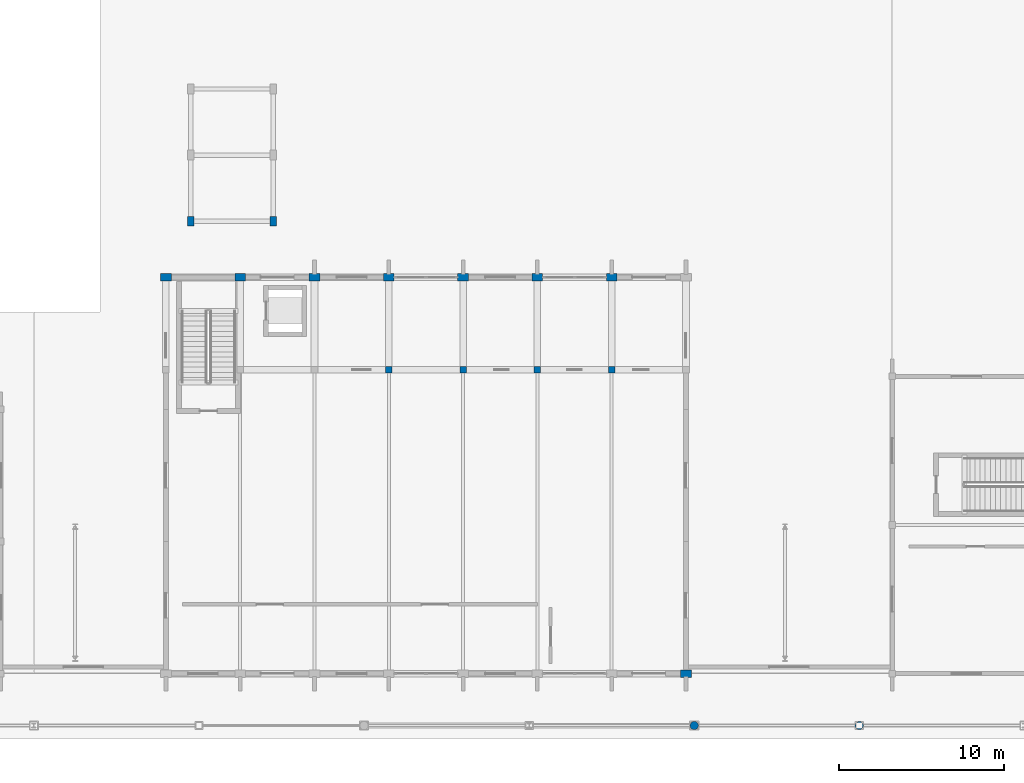
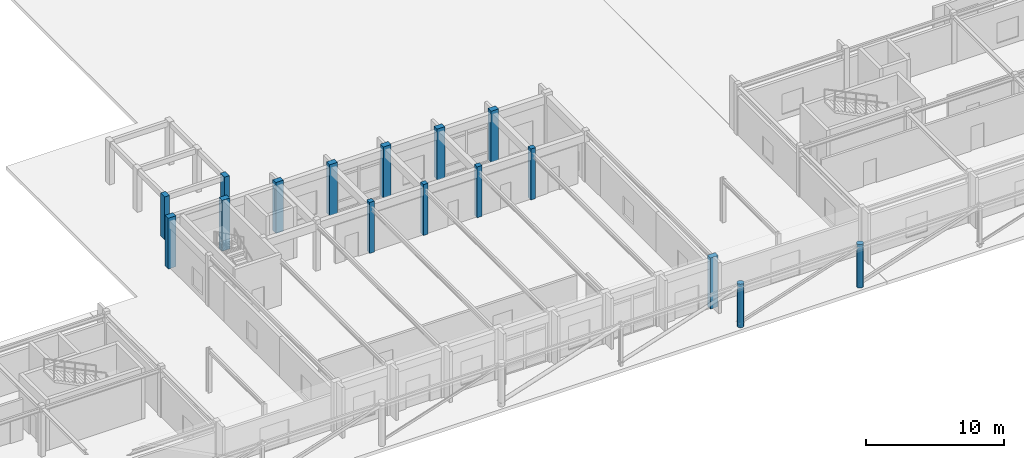
# One storey, part 4 of 61: 16 columns.
"""IFC4 building model written with IfcOpenShell, lengths in metres."""

import ifcopenshell
import ifcopenshell.guid

model = None  # the IFC model being written
_history = None  # IfcOwnerHistory: only IFC2X3 demands one
_inside = {}  # id of a spatial element -> (the spatial element, [elements in it])
_under = {}  # id of a project, library or spatial element -> (it, [spatial elements below it])
_declared = {}  # id of a project -> (the project, [libraries it declares])
_typed = {}  # id of a type object -> (the type object, [elements of that type])
_made_of = {}  # id of a material, layer set ... -> (it, [elements and type objects made of it])


def new_model(schema):
    """Start an empty IFC model of exactly this schema.

    Asked for "IFC4X3", IfcOpenShell would pick the latest addendum, in which some entities
    have other attributes; the version numbers below select the first issue.
    IFC2X3 requires an IfcOwnerHistory on every rooted entity: one is made here for all.
    """
    global model, _history
    if schema == "IFC4X3":
        model = ifcopenshell.file(schema_version=(4, 3, 0, 0))
    else:
        model = ifcopenshell.file(schema=schema)
    _inside.clear()
    _under.clear()
    _declared.clear()
    _typed.clear()
    _made_of.clear()
    _history = None
    if model.schema == "IFC2X3":
        org = make("IfcOrganization", Name="unknown")
        user = make(
            "IfcPersonAndOrganization",
            ThePerson=make("IfcPerson", FamilyName="unknown"),
            TheOrganization=org,
        )
        app = make(
            "IfcApplication",
            ApplicationDeveloper=org,
            Version="unknown",
            ApplicationFullName="unknown",
            ApplicationIdentifier="unknown",
        )
        _history = make(
            "IfcOwnerHistory",
            OwningUser=user,
            OwningApplication=app,
            ChangeAction="ADDED",
            CreationDate=0,
        )
    return model


def make(cls, **values):
    """One entity of the class cls with the attributes given. An attribute that is None is left unset."""
    return model.create_entity(
        cls, **{name: value for name, value in values.items() if value is not None}
    )


def rooted(cls, **values):
    """An entity with a GlobalId (a new one), such as an element, a storey or a relation."""
    return make(cls, GlobalId=ifcopenshell.guid.new(), OwnerHistory=_history, **values)


def si_unit(unit_type, name, prefix=None):
    """IfcSIUnit, for example si_unit("LENGTHUNIT", "METRE", prefix="MILLI")."""
    return make("IfcSIUnit", UnitType=unit_type, Prefix=prefix, Name=name)


def assignment(units):
    """IfcUnitAssignment: the units of a project."""
    return None if units is None else make("IfcUnitAssignment", Units=units)


def point(xyz):
    """IfcCartesianPoint."""
    return None if xyz is None else make("IfcCartesianPoint", Coordinates=xyz)


def direction(xyz):
    """IfcDirection."""
    return None if xyz is None else make("IfcDirection", DirectionRatios=xyz)


def frame(location, z_axis=None, x_axis=None):
    """IfcAxis2Placement3D, a coordinate frame: its origin and axes. An axis left out is left unset."""
    return make(
        "IfcAxis2Placement3D",
        Location=point(location),
        Axis=direction(z_axis),
        RefDirection=direction(x_axis),
    )


def frame_2d(location, x_axis=None):
    """IfcAxis2Placement2D, a coordinate frame in the plane: its origin and x axis."""
    return make(
        "IfcAxis2Placement2D", Location=point(location), RefDirection=direction(x_axis)
    )


def origin():
    """The frame at (0, 0, 0) with its axes left unset."""
    return frame((0.0, 0.0, 0.0))


def origin_2d():
    """The frame at (0, 0) in the plane with its x axis left unset."""
    return frame_2d((0.0, 0.0))


def place(relative_to, where):
    """IfcLocalPlacement: puts the frame where relative to a parent placement (None: the world)."""
    return make(
        "IfcLocalPlacement", PlacementRelTo=relative_to, RelativePlacement=where
    )


def context(
    kind, dimensions, precision=None, world=None, true_north=None, identifier=None
):
    """IfcGeometricRepresentationContext, for example the 3D "Model" context."""
    return make(
        "IfcGeometricRepresentationContext",
        ContextIdentifier=identifier,
        ContextType=kind,
        CoordinateSpaceDimension=dimensions,
        Precision=precision,
        WorldCoordinateSystem=world,
        TrueNorth=true_north,
    )


def subcontext(parent, identifier, kind, view, scale=None):
    """IfcGeometricRepresentationSubContext, for example "Body" below "Model"."""
    return make(
        "IfcGeometricRepresentationSubContext",
        ContextIdentifier=identifier,
        ContextType=kind,
        ParentContext=parent,
        TargetScale=scale,
        TargetView=view,
    )


def project(units=None, contexts=None):
    """IfcProject with its units and contexts."""
    return rooted(
        "IfcProject",
        Name="project",
        RepresentationContexts=contexts,
        UnitsInContext=assignment(units),
    )


def spatial(cls, under=None, at=None, **own):
    """A site, building, storey or space (cls), placed at a placement, below another one or the project."""
    s = rooted(cls, ObjectPlacement=at, **own)
    if under is not None:
        _under.setdefault(under.id(), (under, []))[1].append(s)
    return s


def profile(cls, at=None, kind="AREA", **sizes):
    """A parametric profile (cls). Its sizes go by their IFC names, for example OverallWidth=200.0."""
    return make(cls, ProfileType=kind, Position=at, **sizes)


def rectangle(**sizes):
    """IfcRectangleProfileDef."""
    return profile("IfcRectangleProfileDef", **sizes)


def circle(**sizes):
    """IfcCircleProfileDef."""
    return profile("IfcCircleProfileDef", **sizes)


def extrude(swept, where, along, depth):
    """IfcExtrudedAreaSolid: the profile swept, set in the frame where, extruded along a direction by depth."""
    return make(
        "IfcExtrudedAreaSolid",
        SweptArea=swept,
        Position=where,
        ExtrudedDirection=direction(along),
        Depth=depth,
    )


def shape(context_of_items, identifier, shape_type, items):
    """IfcShapeRepresentation: the items that make up one representation, for example the "Body"."""
    return make(
        "IfcShapeRepresentation",
        ContextOfItems=context_of_items,
        RepresentationIdentifier=identifier,
        RepresentationType=shape_type,
        Items=items,
    )


def material(Name=None, Category=None):
    """IfcMaterial."""
    return make("IfcMaterial", Name=Name, Category=Category)


def material_profile(
    of_material, cross_section, Name=None, Category=None, Priority=None
):
    """IfcMaterialProfile: a cross section and its material."""
    return make(
        "IfcMaterialProfile",
        Name=Name,
        Material=of_material,
        Profile=cross_section,
        Priority=Priority,
        Category=Category,
    )


def profile_set(profiles, Name=None, composite=None):
    """IfcMaterialProfileSet."""
    return make(
        "IfcMaterialProfileSet",
        Name=Name,
        MaterialProfiles=profiles,
        CompositeProfile=composite,
    )


def made_of(thing, what):
    """Note that an element or type object is made of a material, layer set ...; save() writes the relation."""
    if what is not None:
        _made_of.setdefault(what.id(), (what, []))[1].append(thing)
    return thing


def type_object(cls, material=None, **own):
    """A type object (cls), such as IfcWallType, which elements share."""
    return made_of(rooted(cls, **own), material)


def element(
    cls,
    number,
    at=None,
    inside=None,
    cuts=None,
    type_object=None,
    material=None,
    context=None,
    identifier="Body",
    shape_type=None,
    held_by="IfcProductDefinitionShape",
    body=None,
    shapes=None,
    **own,
):
    """One element of the class cls, such as IfcWall. Its Tag is "e" and its number.

    at: its placement. inside: the storey or other place that contains it. cuts: it is an
    opening in that element (IfcRelVoidsElement). A single representation is given by context,
    identifier, shape_type and body (its items); several are given by shapes. held_by: the class
    of the entity that holds the representations. save() writes the other relations.
    """
    e = rooted(cls, Tag="e%d" % number, ObjectPlacement=at, **own)
    if body is not None:
        shapes = [shape(context, identifier, shape_type, body)]
    if shapes is not None:
        e.Representation = make(held_by, Representations=shapes)
    if inside is not None:
        _inside.setdefault(inside.id(), (inside, []))[1].append(e)
    if cuts is not None:
        rooted(
            "IfcRelVoidsElement", RelatingBuildingElement=cuts, RelatedOpeningElement=e
        )
    if type_object is not None:
        _typed.setdefault(type_object.id(), (type_object, []))[1].append(e)
    return made_of(e, material)


def aggregate(whole, parts):
    """IfcRelAggregates: a whole, such as a stair, and the parts it consists of."""
    return rooted("IfcRelAggregates", RelatingObject=whole, RelatedObjects=parts)


def save(model, path):
    """Write the relations noted so far, then the file.

    IfcRelAggregates (storeys below a building ...), IfcRelContainedInSpatialStructure (elements
    in a storey), IfcRelDefinesByType, IfcRelAssociatesMaterial and IfcRelDeclares: one each for
    every whole, place, type object, material and project.
    """
    for whole, parts in _under.values():
        aggregate(whole, parts)
    for where, things in _inside.values():
        rooted(
            "IfcRelContainedInSpatialStructure",
            RelatedElements=things,
            RelatingStructure=where,
        )
    for kind, things in _typed.values():
        rooted("IfcRelDefinesByType", RelatedObjects=things, RelatingType=kind)
    for what, things in _made_of.values():
        rooted("IfcRelAssociatesMaterial", RelatedObjects=things, RelatingMaterial=what)
    for by, libraries in _declared.values():
        rooted("IfcRelDeclares", RelatingContext=by, RelatedDefinitions=libraries)
    model.write(path)


model = new_model("IFC4")

# Units and contexts
model_context = context("Model", 3, precision=1e-05, world=origin(), true_north=direction((0.0, 1.0)))
body_context = subcontext(model_context, "Body", "Model", "MODEL_VIEW")
ifc_project = project(units=[si_unit("LENGTHUNIT", "METRE"), si_unit("AREAUNIT", "SQUARE_METRE"), si_unit("VOLUMEUNIT", "CUBIC_METRE"), si_unit("PLANEANGLEUNIT", "RADIAN"), si_unit("MASSUNIT", "GRAM", prefix="KILO")], contexts=[model_context])

# Site, building, storey
site_placement = place(None, origin())
site = spatial("IfcSite", under=ifc_project, at=site_placement, CompositionType="ELEMENT")
building_placement = place(site_placement, origin())
building = spatial("IfcBuilding", under=site, at=building_placement, Name="Zimvara Arc Housing Community", CompositionType="ELEMENT")
storey_placement = place(building_placement, origin())
storey = spatial("IfcBuildingStorey", under=building, at=storey_placement, Name="L00", CompositionType="ELEMENT", Elevation=0.0)

# Columns
ifc_material_1 = material(Name="Concrete C40/50", Category="concrete")
ifc_material_profile_1 = material_profile(ifc_material_1, rectangle(XDim=0.39990234375, YDim=0.39990234375, at=origin_2d()), Name="RC 400x400")
ifc_profile_set_1 = profile_set([ifc_material_profile_1], Name="Concrete C40/50")
column_type_1 = type_object("IfcColumnType", Name="COL-RC-400x400", PredefinedType="COLUMN", material=ifc_profile_set_1)
for number, where, z_axis, x_axis, name in (
    (1, (81.5, 22.0, 0.0), (0.0, 0.0, 1.0), (1.0, 0.0, 0.0), "col:hall:L00:gal:x3"),
    (2, (86.0, 22.0, 0.0), (0.0, 0.0, 1.0), (1.0, 0.0, 0.0), "col:hall:L00:gal:x4"),
    (3, (90.5, 22.0, 0.0), (0.0, 0.0, 1.0), (1.0, 0.0, 0.0), "col:hall:L00:gal:x5"),
    (4, (95.0, 22.0, 0.0), (0.0, 0.0, 1.0), (1.0, 0.0, 0.0), "col:hall:L00:gal:x6"),
):
    element("IfcColumn", number, at=place(storey_placement, frame(where, z_axis=z_axis, x_axis=x_axis)), inside=storey, type_object=column_type_1, Name=name, PredefinedType="COLUMN", context=body_context, shape_type="SweptSolid", body=[
        extrude(rectangle(XDim=0.39990234375, YDim=0.39990234375, at=origin_2d()), origin(), (0.0, 0.0, 1.0), 4.5),
    ])
ifc_material_2 = material(Name="Concrete C40/50", Category="concrete")
ifc_material_profile_2 = material_profile(ifc_material_2, rectangle(XDim=0.449951171875, YDim=0.64990234375, at=origin_2d()), Name="RC 450x650")
ifc_profile_set_2 = profile_set([ifc_material_profile_2], Name="Concrete C40/50")
column_type_2 = type_object("IfcColumnType", Name="COL-RC-450x650", PredefinedType="COLUMN", material=ifc_profile_set_2)
for number, where, z_axis, x_axis, name in (
    (5, (68.0, 27.60009765625, 0.0), (0.0, 0.0, 1.0), (0.0, 1.0, 0.0), "col:hall:L00:x0:y1"),
    (6, (72.5, 27.60009765625, 0.0), (0.0, 0.0, 1.0), (0.0, 1.0, 0.0), "col:hall:L00:x1:y1"),
    (7, (77.0, 27.60009765625, 0.0), (0.0, 0.0, 1.0), (0.0, 1.0, 0.0), "col:hall:L00:x2:y1"),
    (8, (81.5, 27.60009765625, 0.0), (0.0, 0.0, 1.0), (0.0, 1.0, 0.0), "col:hall:L00:x3:y1"),
    (9, (86.0, 27.60009765625, 0.0), (0.0, 0.0, 1.0), (0.0, 1.0, 0.0), "col:hall:L00:x4:y1"),
    (10, (90.5, 27.60009765625, 0.0), (0.0, 0.0, 1.0), (0.0, 1.0, 0.0), "col:hall:L00:x5:y1"),
    (11, (95.0, 27.60009765625, 0.0), (0.0, 0.0, 1.0), (0.0, 1.0, 0.0), "col:hall:L00:x6:y1"),
    (12, (99.5, 3.60009765625, 0.0), (0.0, 0.0, 1.0), (0.0, 1.0, 0.0), "col:hall:L00:x7:y0"),
):
    element("IfcColumn", number, at=place(storey_placement, frame(where, z_axis=z_axis, x_axis=x_axis)), inside=storey, type_object=column_type_2, Name=name, PredefinedType="COLUMN", context=body_context, shape_type="SweptSolid", body=[
        extrude(rectangle(XDim=0.449951171875, YDim=0.64990234375, at=origin_2d()), origin(), (0.0, 0.0, 1.0), 4.5),
    ])
ifc_material_3 = material(Name="Concrete C40/50", Category="concrete")
ifc_material_profile_3 = material_profile(ifc_material_3, circle(Radius=0.25, at=origin_2d()), Name="RC D500")
ifc_profile_set_3 = profile_set([ifc_material_profile_3], Name="Concrete C40/50")
column_type_3 = type_object("IfcColumnType", Name="COL-RC-D500", PredefinedType="COLUMN", material=ifc_profile_set_3)
for number, where, z_axis, x_axis, name in (
    (13, (100.0, 0.449951171875, 0.0), (0.0, 0.0, 1.0), (1.0, 0.0, 0.0), "col:colonnade:L00:10"),
    (14, (110.0, 0.449951171875, 0.0), (0.0, 0.0, 1.0), (1.0, 0.0, 0.0), "col:colonnade:L00:11"),
):
    element("IfcColumn", number, at=place(storey_placement, frame(where, z_axis=z_axis, x_axis=x_axis)), inside=storey, type_object=column_type_3, Name=name, PredefinedType="COLUMN", context=body_context, shape_type="SweptSolid", body=[
        extrude(circle(Radius=0.25, at=origin_2d()), origin(), (0.0, 0.0, 1.0), 3.85009765625),
    ])
ifc_material_4 = material(Name="Concrete C40/50", Category="concrete")
ifc_material_profile_4 = material_profile(ifc_material_4, rectangle(XDim=0.39990234375, YDim=0.60009765625, at=origin_2d()), Name="RC 400x600")
ifc_profile_set_4 = profile_set([ifc_material_profile_4], Name="Concrete C40/50")
column_type_4 = type_object("IfcColumnType", Name="COL-RC-PIL-400x550", PredefinedType="PILASTER", material=ifc_profile_set_4)
for number, where, z_axis, x_axis, name in (
    (15, (69.5, 31.0, 0.0), (0.0, 0.0, 1.0), (1.0, 0.0, 0.0), "col:pil:L00:1"),
    (16, (74.5, 31.0, 0.0), (0.0, 0.0, 1.0), (1.0, 0.0, 0.0), "col:pil:L00:2"),
):
    element("IfcColumn", number, at=place(storey_placement, frame(where, z_axis=z_axis, x_axis=x_axis)), inside=storey, type_object=column_type_4, Name=name, PredefinedType="PILASTER", context=body_context, shape_type="SweptSolid", body=[
        extrude(rectangle(XDim=0.39990234375, YDim=0.60009765625, at=origin_2d()), origin(), (0.0, 0.0, 1.0), 3.800048828125),
    ])

save(model, "model.ifc")
